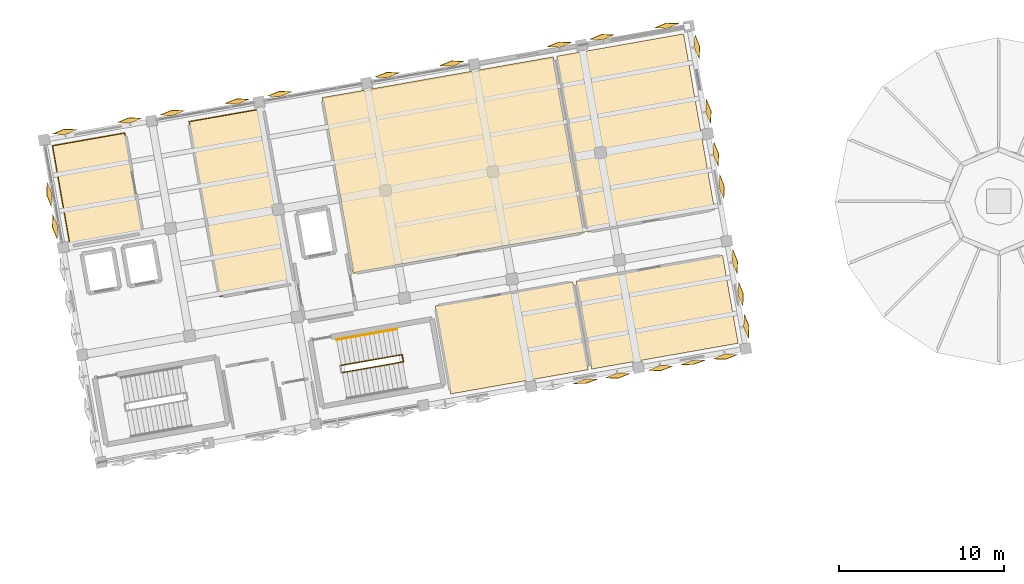
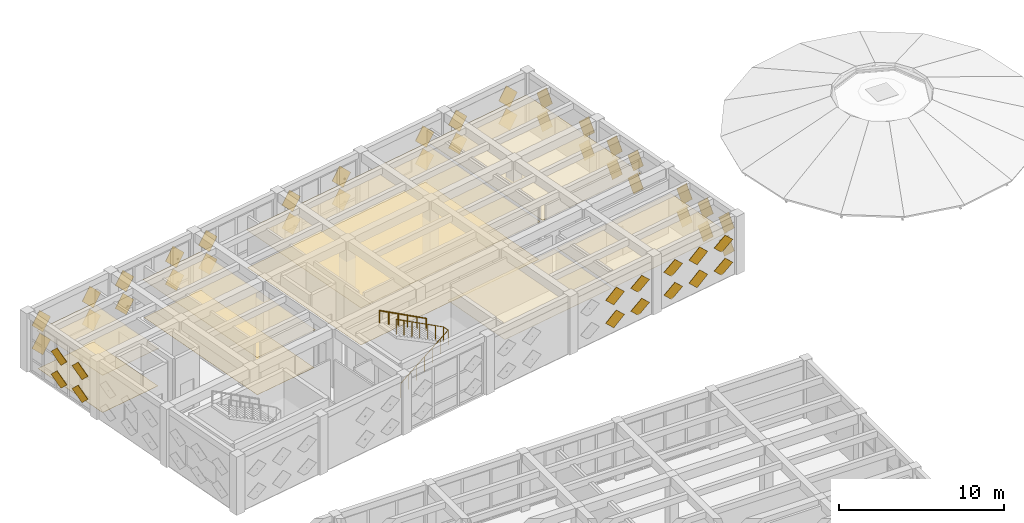
# One storey, part 65 of 67: 57 coverings, 2 railings.
"""IFC4 building model written with IfcOpenShell, lengths in metres."""

from ifc_helpers import new_model, si_unit, direction, frame, origin, origin_2d, place, context, subcontext, project, spatial, polyline, circle, outline, extrude, material, layer, layer_set, type_object, element, save


model = new_model("IFC4")

# Units and contexts
model_context = context("Model", 3, precision=1e-05, world=origin(), true_north=direction((0.0, 1.0)))
body_context = subcontext(model_context, "Body", "Model", "MODEL_VIEW")
ifc_project = project(units=[si_unit("LENGTHUNIT", "METRE"), si_unit("AREAUNIT", "SQUARE_METRE"), si_unit("VOLUMEUNIT", "CUBIC_METRE"), si_unit("PLANEANGLEUNIT", "RADIAN"), si_unit("MASSUNIT", "GRAM", prefix="KILO")], contexts=[model_context])

# Site, building, storey
site_placement = place(None, origin())
site = spatial("IfcSite", under=ifc_project, at=site_placement, CompositionType="ELEMENT")
building_placement = place(site_placement, origin())
building = spatial("IfcBuilding", under=site, at=building_placement, Name="Kharisveld Research Institute", CompositionType="ELEMENT")
storey_placement = place(building_placement, frame((0.0, 0.0, 9.60009765625)))
storey = spatial("IfcBuildingStorey", under=building, at=storey_placement, Name="L02", CompositionType="ELEMENT", Elevation=9.60009765625)

# Coverings
ifc_material_1 = material(Name="Mineral-Fibre Acoustic Ceiling", Category="mineral")
ifc_layer_1 = layer(ifc_material_1, 0.02490234375)
ifc_layer_set_1 = layer_set([ifc_layer_1], Name="CV_CEIL_AC")
covering_type_1 = type_object("IfcCoveringType", Name="CV_CEIL_AC", PredefinedType="CEILING", material=ifc_layer_set_1)
covering_1_placement = place(storey_placement, frame((0.0, 0.0, 2.7998046875)))
element("IfcCovering", 1, at=covering_1_placement, inside=storey, type_object=covering_type_1, Name="COV:RM:V1:L02:NW:CEIL", PredefinedType="CEILING", context=body_context, shape_type="SweptSolid", body=[
    extrude(outline(polyline([(3.3017578125, 48.078857421875), (7.7333984375, 48.8603515625), (6.65673828125, 54.966064453125), (2.22509765625, 54.184814453125), (3.3017578125, 48.078857421875)])), origin(), (0.0, 0.0, 1.0), 0.025146484375),
])
covering_2_placement = place(storey_placement, frame((0.0, 0.0, 2.7998046875)))
element("IfcCovering", 2, at=covering_2_placement, inside=storey, type_object=covering_type_1, Name="COV:RM:V1:L02:N1:CEIL", PredefinedType="CEILING", context=body_context, shape_type="SweptSolid", body=[
    extrude(outline(polyline([(12.373046875, 45.007568359375), (16.903076171875, 45.80615234375), (15.027587890625, 56.442138671875), (10.49755859375, 55.643310546875), (12.373046875, 45.007568359375)])), origin(), (0.0, 0.0, 1.0), 0.025146484375),
])
covering_3_placement = place(storey_placement, frame((0.0, 0.0, 2.7998046875)))
element("IfcCovering", 3, at=covering_3_placement, inside=storey, type_object=covering_type_1, Name="COV:RM:V1:L02:N2:CEIL", PredefinedType="CEILING", context=body_context, shape_type="SweptSolid", body=[
    extrude(outline(polyline([(20.4482421875, 46.431396484375), (34.4326171875, 48.897216796875), (32.55712890625, 59.533203125), (18.572998046875, 57.0673828125), (20.4482421875, 46.431396484375)])), origin(), (0.0, 0.0, 1.0), 0.025146484375),
])
covering_4_placement = place(storey_placement, frame((0.0, 0.0, 2.7998046875)))
element("IfcCovering", 4, at=covering_4_placement, inside=storey, type_object=covering_type_1, Name="COV:RM:V1:L02:N3:CEIL", PredefinedType="CEILING", context=body_context, shape_type="SweptSolid", body=[
    extrude(outline(polyline([(34.629638671875, 48.931884765625), (42.31103515625, 50.286376953125), (40.435791015625, 60.92236328125), (32.754150390625, 59.56787109375), (34.629638671875, 48.931884765625)])), origin(), (0.0, 0.0, 1.0), 0.025146484375),
])
covering_5_placement = place(storey_placement, frame((0.0, 0.0, 2.7998046875)))
element("IfcCovering", 5, at=covering_5_placement, inside=storey, type_object=covering_type_1, Name="COV:RM:V1:L02:S1:CEIL", PredefinedType="CEILING", context=body_context, shape_type="SweptSolid", body=[
    extrude(outline(polyline([(26.35302734375, 39.14599609375), (34.6748046875, 40.61328125), (33.737060546875, 45.931396484375), (25.41552734375, 44.464111328125), (26.35302734375, 39.14599609375)])), origin(), (0.0, 0.0, 1.0), 0.025146484375),
])
covering_6_placement = place(storey_placement, frame((0.0, 0.0, 2.7998046875)))
element("IfcCovering", 6, at=covering_6_placement, inside=storey, type_object=covering_type_1, Name="COV:RM:V1:L02:S2:CEIL", PredefinedType="CEILING", context=body_context, shape_type="SweptSolid", body=[
    extrude(outline(polyline([(34.871826171875, 40.648193359375), (43.735107421875, 42.2109375), (42.79736328125, 47.52880859375), (33.93408203125, 45.966064453125), (34.871826171875, 40.648193359375)])), origin(), (0.0, 0.0, 1.0), 0.025146484375),
])
ifc_material_2 = material(Name="Seamless Chemical-Resistant Epoxy", Category="mineral")
ifc_layer_2 = layer(ifc_material_2, 0.014892578125)
ifc_layer_set_2 = layer_set([ifc_layer_2], Name="CV_FLR_EPX")
covering_type_2 = type_object("IfcCoveringType", Name="CV_FLR_EPX", PredefinedType="FLOORING", material=ifc_layer_set_2)
covering_7_placement = place(storey_placement, origin())
element("IfcCovering", 7, at=covering_7_placement, inside=storey, type_object=covering_type_2, Name="COV:RM:V1:L02:NW:FLR", PredefinedType="FLOORING", context=body_context, shape_type="SweptSolid", body=[
    extrude(outline(polyline([(3.34228515625, 48.136962890625), (7.675537109375, 48.90087890625), (6.6162109375, 54.908203125), (2.282958984375, 54.144287109375), (3.34228515625, 48.136962890625)])), origin(), (0.0, 0.0, 1.0), 0.014892578125),
])
covering_8_placement = place(storey_placement, origin())
element("IfcCovering", 8, at=covering_8_placement, inside=storey, type_object=covering_type_2, Name="COV:RM:V1:L02:N1:FLR", PredefinedType="FLOORING", context=body_context, shape_type="SweptSolid", body=[
    extrude(outline(polyline([(12.41357421875, 45.0654296875), (16.84521484375, 45.8466796875), (14.987060546875, 56.38427734375), (10.555419921875, 55.602783203125), (12.41357421875, 45.0654296875)])), origin(), (0.0, 0.0, 1.0), 0.014892578125),
])
covering_9_placement = place(storey_placement, origin())
element("IfcCovering", 9, at=covering_9_placement, inside=storey, type_object=covering_type_2, Name="COV:RM:V1:L02:N2:FLR", PredefinedType="FLOORING", context=body_context, shape_type="SweptSolid", body=[
    extrude(outline(polyline([(20.489013671875, 46.4892578125), (34.374755859375, 48.937744140625), (32.5166015625, 59.47509765625), (18.630859375, 57.026611328125), (20.489013671875, 46.4892578125)])), origin(), (0.0, 0.0, 1.0), 0.014892578125),
])

# Railings
ifc_material_3 = material(Name="Steel S355JR", Category="steel")
railing_type_1 = type_object("IfcRailingType", Name="RL_GRD_STR", PredefinedType="GUARDRAIL", material=ifc_material_3)
railing_1_placement = place(storey_placement, frame((19.79931640625, 40.4375, 0.0)))
element("IfcRailing", 10, at=railing_1_placement, inside=storey, type_object=railing_type_1, Name="RLG:ST2:L02:GRD_SLOT", PredefinedType="GUARDRAIL", context=body_context, shape_type="SweptSolid", body=[
    extrude(circle(Radius=0.02392578125, at=origin_2d()), frame((0.0, 0.0, 1.09619140625), z_axis=(0.844157266411, 0.148870313632, 0.515010814726), x_axis=(-0.173673761132, 0.984803241614, 0.0)), (0.0, 0.0, 1.0), 4.368896484375),
    extrude(circle(Radius=0.02392578125, at=origin_2d()), frame((3.68798828125, 0.650390625, 3.34619140625), z_axis=(-0.173658729201, 0.984805892434, 0.0), x_axis=(-0.984805892434, -0.173658729201, 0.0)), (0.0, 0.0, 1.0), 0.43994140625),
    extrude(circle(Radius=0.02392578125, at=origin_2d()), frame((3.611572265625, 1.083740234375, 3.34619140625), z_axis=(-0.844157266411, -0.148870313632, 0.515010814726), x_axis=(0.173673761132, -0.984803241614, 0.0)), (0.0, 0.0, 1.0), 4.368896484375),
    extrude(circle(Radius=0.02099609375, at=origin_2d()), origin(), (0.0, 0.0, 1.0), 1.072021484375),
    extrude(circle(Radius=0.02099609375, at=origin_2d()), frame((0.61474609375, 0.1083984375, 0.375)), (0.0, 0.0, 1.0), 1.072021484375),
    extrude(circle(Radius=0.02099609375, at=origin_2d()), frame((1.229248046875, 0.216796875, 0.75)), (0.0, 0.0, 1.0), 1.072021484375),
    extrude(circle(Radius=0.02099609375, at=origin_2d()), frame((1.843994140625, 0.3251953125, 1.125)), (0.0, 0.0, 1.0), 1.072021484375),
    extrude(circle(Radius=0.02099609375, at=origin_2d()), frame((2.458740234375, 0.43359375, 1.5)), (0.0, 0.0, 1.0), 1.072021484375),
    extrude(circle(Radius=0.02099609375, at=origin_2d()), frame((3.0732421875, 0.5419921875, 1.875)), (0.0, 0.0, 1.0), 1.072021484375),
    extrude(circle(Radius=0.02099609375, at=origin_2d()), frame((3.68798828125, 0.650390625, 2.25)), (0.0, 0.0, 1.0), 1.072021484375),
    extrude(circle(Radius=0.02099609375, at=origin_2d()), frame((3.611572265625, 1.083740234375, 2.25)), (0.0, 0.0, 1.0), 1.072021484375),
    extrude(circle(Radius=0.02099609375, at=origin_2d()), frame((2.996826171875, 0.975341796875, 2.625)), (0.0, 0.0, 1.0), 1.072021484375),
    extrude(circle(Radius=0.02099609375, at=origin_2d()), frame((2.38232421875, 0.866943359375, 3.0)), (0.0, 0.0, 1.0), 1.072021484375),
    extrude(circle(Radius=0.02099609375, at=origin_2d()), frame((1.767578125, 0.758544921875, 3.375)), (0.0, 0.0, 1.0), 1.072021484375),
    extrude(circle(Radius=0.02099609375, at=origin_2d()), frame((1.15283203125, 0.650146484375, 3.75)), (0.0, 0.0, 1.0), 1.072021484375),
    extrude(circle(Radius=0.02099609375, at=origin_2d()), frame((0.538330078125, 0.541748046875, 4.125)), (0.0, 0.0, 1.0), 1.072021484375),
    extrude(circle(Radius=0.02099609375, at=origin_2d()), frame((-0.076416015625, 0.433349609375, 4.5)), (0.0, 0.0, 1.0), 1.072021484375),
])
ifc_material_4 = material(Name="Stainless Steel 316", Category="steel")
railing_type_2 = type_object("IfcRailingType", Name="RL_HND_STR", PredefinedType="HANDRAIL", material=ifc_material_4)
railing_2_placement = place(storey_placement, frame((23.09716796875, 43.0703125, 2.25)))
element("IfcRailing", 11, at=railing_2_placement, inside=storey, type_object=railing_type_2, Name="RLG:ST2:L02:HR2", PredefinedType="HANDRAIL", context=body_context, shape_type="SweptSolid", body=[
    extrude(circle(Radius=0.02392578125, at=origin_2d()), frame((0.0, 0.0, 0.89599609375), z_axis=(-0.841746897377, -0.148411045473, 0.519072559801), x_axis=(0.173634966033, -0.984810082488, 0.0)), (0.0, 0.0, 1.0), 4.334716796875),
    extrude(circle(Radius=0.02099609375, at=origin_2d()), origin(), (0.0, 0.0, 1.0), 0.871826171875),
    extrude(circle(Radius=0.02099609375, at=origin_2d()), frame((-0.729736328125, -0.128662109375, 0.449951171875)), (0.0, 0.0, 1.0), 0.871826171875),
    extrude(circle(Radius=0.02099609375, at=origin_2d()), frame((-1.45947265625, -0.25732421875, 0.89990234375)), (0.0, 0.0, 1.0), 0.871826171875),
    extrude(circle(Radius=0.02099609375, at=origin_2d()), frame((-2.189208984375, -0.385986328125, 1.35009765625)), (0.0, 0.0, 1.0), 0.871826171875),
    extrude(circle(Radius=0.02099609375, at=origin_2d()), frame((-2.9189453125, -0.5146484375, 1.800048828125)), (0.0, 0.0, 1.0), 0.871826171875),
    extrude(circle(Radius=0.02099609375, at=origin_2d()), frame((-3.648681640625, -0.643310546875, 2.25)), (0.0, 0.0, 1.0), 0.871826171875),
])

# Coverings
ifc_material_5 = material(Name="White Powder-Coated Perforated Aluminium", Category="aluminium")
covering_type_3 = type_object("IfcCoveringType", Name="CV_DIA_105", PredefinedType="CLADDING")
for number, where, z_axis, x_axis, name in (
    (12, (2.58203125, 49.28564453125, 0.324951171875), (0.961442649282, 0.16952470156, 0.216539621552), (-0.273578570302, 0.66970617229, 0.690397283213), "SHD:V1:L02:W2:S0C0"),
    (13, (2.58203125, 49.28564453125, 2.025146484375), (0.961442649282, 0.16952470156, 0.216539621552), (-0.273578570302, 0.66970617229, 0.690397283213), "SHD:V1:L02:W2:S0C1"),
):
    element("IfcCovering", number, at=place(storey_placement, frame(where, z_axis=z_axis, x_axis=x_axis)), inside=storey, type_object=covering_type_3, material=ifc_material_5, Name=name, PredefinedType="CLADDING", context=body_context, shape_type="SweptSolid", body=[
        extrude(outline(polyline([(0.0, 0.0), (1.0498710226392558, 0.0), (1.0500604882684064, 1.0499603061510638), (0.00012267398601040203, 1.0499534754558235), (0.0, 0.0)])), origin(), (0.0, 0.0, -1.0), 0.02392578125),
    ])
for number, where, z_axis, x_axis, name in (
    (14, (2.237060546875, 51.2421875, 0.324951171875), (0.961420032054, 0.169652917176, 0.216539626071), (-0.273667258538, 0.669685861016, 0.690381835769), "SHD:V1:L02:W2:S1C0"),
    (15, (2.237060546875, 51.2421875, 2.025146484375), (0.961420032054, 0.169652917176, 0.216539626071), (-0.273667258538, 0.669685861016, 0.690381835769), "SHD:V1:L02:W2:S1C1"),
):
    element("IfcCovering", number, at=place(storey_placement, frame(where, z_axis=z_axis, x_axis=x_axis)), inside=storey, type_object=covering_type_3, material=ifc_material_5, Name=name, PredefinedType="CLADDING", context=body_context, shape_type="SweptSolid", body=[
        extrude(outline(polyline([(0.0, 0.0), (1.0499378206599106, 0.0), (1.0500673127316735, 1.0499534809922781), (-3.40054528989997e-05, 1.0501299963078314), (0.0, 0.0)])), origin(), (0.0, 0.0, -1.0), 0.02392578125),
    ])
for number, where, z_axis, x_axis, name in (
    (16, (3.037841796875, 54.8349609375, 0.324951171875), (0.169653966706, -0.961425979727, 0.216512394765), (0.669810730042, 0.27364360613, 0.69027006508), "SHD:V1:L02:N0:S0C0"),
    (17, (3.037841796875, 54.8349609375, 2.025146484375), (0.169653966706, -0.961425979727, 0.216512394765), (0.669810730042, 0.27364360613, 0.69027006508), "SHD:V1:L02:N0:S0C1"),
):
    element("IfcCovering", number, at=place(storey_placement, frame(where, z_axis=z_axis, x_axis=x_axis)), inside=storey, type_object=covering_type_3, material=ifc_material_5, Name=name, PredefinedType="CLADDING", context=body_context, shape_type="SweptSolid", body=[
        extrude(outline(polyline([(0.0, 0.0), (1.0501013332243323, 1.1102230246251565e-16), (1.050054335240126, 1.049953488129867), (-4.699798420648715e-05, 1.049953488129867), (0.0, 0.0)])), origin(), (0.0, 0.0, -1.0), 0.02392578125),
    ])
for number, where, z_axis, x_axis, name in (
    (18, (6.950927734375, 55.52490234375, 0.324951171875), (0.16952470156, -0.961442649282, 0.216539621552), (0.669701468459, 0.273578752319, 0.690401773914), "SHD:V1:L02:N0:S2C0"),
    (19, (6.950927734375, 55.52490234375, 2.025146484375), (0.16952470156, -0.961442649282, 0.216539621552), (0.669701468459, 0.273578752319, 0.690401773914), "SHD:V1:L02:N0:S2C1"),
):
    element("IfcCovering", number, at=place(storey_placement, frame(where, z_axis=z_axis, x_axis=x_axis)), inside=storey, type_object=covering_type_3, material=ifc_material_5, Name=name, PredefinedType="CLADDING", context=body_context, shape_type="SweptSolid", body=[
        extrude(outline(polyline([(0.0, 0.0), (1.0499378143046156, 0.0), (1.0500673190877523, 1.04995347463551), (0.0001962964707143966, 1.0499603048962165), (0.0, 0.0)])), origin(), (0.0, 0.0, -1.0), 0.02392578125),
    ])
for number, where, z_axis, x_axis, name in (
    (20, (9.53759765625, 55.981201171875, 0.324951171875), (0.169504241221, -0.961487125864, 0.216358080518), (0.669853329409, 0.27342850239, 0.690313965642), "SHD:V1:L02:N1:S0C0"),
    (21, (9.53759765625, 55.981201171875, 2.025146484375), (0.169504241221, -0.961487125864, 0.216358080518), (0.669853329409, 0.27342850239, 0.690313965642), "SHD:V1:L02:N1:S0C1"),
):
    element("IfcCovering", number, at=place(storey_placement, frame(where, z_axis=z_axis, x_axis=x_axis)), inside=storey, type_object=covering_type_3, material=ifc_material_5, Name=name, PredefinedType="CLADDING", context=body_context, shape_type="SweptSolid", body=[
        extrude(outline(polyline([(0.0, 0.0), (1.0500345519602505, 0.0), (1.0499807392517624, 1.0499534878027108), (-5.381270848814346e-05, 1.049953487802711), (0.0, 0.0)])), origin(), (0.0, 0.0, -1.0), 0.02392578125),
    ])
for number, where, z_axis, x_axis, name in (
    (22, (13.45068359375, 56.671142578125, 0.324951171875), (0.169503194288, -0.961481187298, 0.216385289699), (0.669728459805, 0.273452141042, 0.690425750307), "SHD:V1:L02:N1:S2C0"),
    (23, (13.45068359375, 56.671142578125, 2.025146484375), (0.169503194288, -0.961481187298, 0.216385289699), (0.669728459805, 0.273452141042, 0.690425750307), "SHD:V1:L02:N1:S2C1"),
):
    element("IfcCovering", number, at=place(storey_placement, frame(where, z_axis=z_axis, x_axis=x_axis)), inside=storey, type_object=covering_type_3, material=ifc_material_5, Name=name, PredefinedType="CLADDING", context=body_context, shape_type="SweptSolid", body=[
        extrude(outline(polyline([(0.0, 0.0), (1.0498710289953155, -1.1102230246251565e-16), (1.0499937165082887, 1.0499534818098035), (-4.082041178410378e-05, 1.0501299960653954), (0.0, 0.0)])), origin(), (0.0, 0.0, -1.0), 0.02392578125),
    ])
for number, where, z_axis, x_axis, name in (
    (24, (16.037353515625, 57.127197265625, 0.324951171875), (0.169503194288, -0.961481187298, 0.216385289699), (0.669849989418, 0.273447448775, 0.690309701826), "SHD:V1:L02:N2:S0C0"),
    (25, (16.037353515625, 57.127197265625, 2.025146484375), (0.169503194288, -0.961481187298, 0.216385289699), (0.669849989418, 0.273447448775, 0.690309701826), "SHD:V1:L02:N2:S0C1"),
):
    element("IfcCovering", number, at=place(storey_placement, frame(where, z_axis=z_axis, x_axis=x_axis)), inside=storey, type_object=covering_type_3, material=ifc_material_5, Name=name, PredefinedType="CLADDING", context=body_context, shape_type="SweptSolid", body=[
        extrude(outline(polyline([(0.0, 0.0), (1.0500345517563856, -1.1102230246251565e-16), (1.0498172010450848, 1.0501299743656882), (-5.381311622809637e-05, 1.0499534875988095), (0.0, 0.0)])), origin(), (0.0, 0.0, -1.0), 0.02392578125),
    ])
for number, where, z_axis, x_axis, name in (
    (26, (22.537109375, 58.273193359375, 0.324951171875), (0.169652917176, -0.961420032054, 0.216539626071), (0.66980738436, 0.273662566838, 0.690265794725), "SHD:V1:L02:N3:S0C0"),
    (27, (22.537109375, 58.273193359375, 2.025146484375), (0.169652917176, -0.961420032054, 0.216539626071), (0.66980738436, 0.273662566838, 0.690265794725), "SHD:V1:L02:N3:S0C1"),
):
    element("IfcCovering", number, at=place(storey_placement, frame(where, z_axis=z_axis, x_axis=x_axis)), inside=storey, type_object=covering_type_3, material=ifc_material_5, Name=name, PredefinedType="CLADDING", context=body_context, shape_type="SweptSolid", body=[
        extrude(outline(polyline([(0.0, 0.0), (1.0501013330201203, 0.0), (1.049890807434033, 1.0501299757557796), (-4.699839263988537e-05, 1.0499534879256078), (0.0, 0.0)])), origin(), (0.0, 0.0, -1.0), 0.02392578125),
    ])
for number, where, z_axis, x_axis, name in (
    (28, (26.449951171875, 58.963134765625, 0.324951171875), (0.169498301082, -0.961453431325, 0.216512413788), (0.669829678259, 0.273536150679, 0.690294267972), "SHD:V1:L02:N3:S2C0"),
    (29, (26.449951171875, 58.963134765625, 2.025146484375), (0.169498301082, -0.961453431325, 0.216512413788), (0.669829678259, 0.273536150679, 0.690294267972), "SHD:V1:L02:N3:S2C1"),
):
    element("IfcCovering", number, at=place(storey_placement, frame(where, z_axis=z_axis, x_axis=x_axis)), inside=storey, type_object=covering_type_3, material=ifc_material_5, Name=name, PredefinedType="CLADDING", context=body_context, shape_type="SweptSolid", body=[
        extrude(outline(polyline([(0.0, 0.0), (1.050101326665668, -1.1102230246251565e-16), (1.050054341798497, 1.049953481570866), (1.9796419616024963e-05, 1.0499603230588543), (0.0, 0.0)])), origin(), (0.0, 0.0, -1.0), 0.02392578125),
    ])
for number, where, z_axis, x_axis, name in (
    (30, (32.94970703125, 60.109375, 0.324951171875), (0.169504241221, -0.961487125864, 0.216358080518), (0.669853329409, 0.27342850239, 0.690313965642), "SHD:V1:L02:N4:S2C0"),
    (31, (32.94970703125, 60.109375, 2.025146484375), (0.169504241221, -0.961487125864, 0.216358080518), (0.669853329409, 0.27342850239, 0.690313965642), "SHD:V1:L02:N4:S2C1"),
):
    element("IfcCovering", number, at=place(storey_placement, frame(where, z_axis=z_axis, x_axis=x_axis)), inside=storey, type_object=covering_type_3, material=ifc_material_5, Name=name, PredefinedType="CLADDING", context=body_context, shape_type="SweptSolid", body=[
        extrude(outline(polyline([(0.0, 0.0), (1.0500345519602505, 0.0), (1.0499807392517624, 1.0499534878027108), (-5.381270848814346e-05, 1.049953487802711), (0.0, 0.0)])), origin(), (0.0, 0.0, -1.0), 0.02392578125),
    ])
for number, where, z_axis, x_axis, name in (
    (32, (35.53662109375, 60.5654296875, 0.324951171875), (0.169530643305, -0.961476347302, 0.21638529192), (0.669725119033, 0.273471090272, 0.690421485559), "SHD:V1:L02:N5:S0C0"),
    (33, (35.53662109375, 60.5654296875, 2.025146484375), (0.169530643305, -0.961476347302, 0.21638529192), (0.669725119033, 0.273471090272, 0.690421485559), "SHD:V1:L02:N5:S0C1"),
):
    element("IfcCovering", number, at=place(storey_placement, frame(where, z_axis=z_axis, x_axis=x_axis)), inside=storey, type_object=covering_type_3, material=ifc_material_5, Name=name, PredefinedType="CLADDING", context=body_context, shape_type="SweptSolid", body=[
        extrude(outline(polyline([(0.0, 0.0), (1.0498710291992122, 0.0), (1.0499937163043682, 1.0499534820137317), (0.00012268710515594972, 1.049953482013732), (0.0, 0.0)])), origin(), (0.0, 0.0, -1.0), 0.02392578125),
    ])
for number, where, z_axis, x_axis, name in (
    (34, (39.449462890625, 61.25537109375, 0.324951171875), (0.169498301082, -0.961453431325, 0.216512413788), (0.669834388355, 0.273535968092, 0.690289769834), "SHD:V1:L02:N5:S2C0"),
    (35, (39.449462890625, 61.25537109375, 2.025146484375), (0.169498301082, -0.961453431325, 0.216512413788), (0.669834388355, 0.273535968092, 0.690289769834), "SHD:V1:L02:N5:S2C1"),
):
    element("IfcCovering", number, at=place(storey_placement, frame(where, z_axis=z_axis, x_axis=x_axis)), inside=storey, type_object=covering_type_3, material=ifc_material_5, Name=name, PredefinedType="CLADDING", context=body_context, shape_type="SweptSolid", body=[
        extrude(outline(polyline([(0.0, 0.0), (1.0500345454011688, 0.0), (1.0500475008163912, 1.049960323165551), (-5.3825826987430325e-05, 1.0499534812424507), (0.0, 0.0)])), origin(), (0.0, 0.0, -1.0), 0.02392578125),
    ])
for number, where, z_axis, x_axis, name in (
    (36, (41.0859375, 60.109619140625, 0.324951171875), (-0.961425979727, -0.169653966706, 0.216512394765), (0.27364360613, -0.669810730042, 0.69027006508), "SHD:V1:L02:E3:S0C0"),
    (37, (41.0859375, 60.109619140625, 2.025146484375), (-0.961425979727, -0.169653966706, 0.216512394765), (0.27364360613, -0.669810730042, 0.69027006508), "SHD:V1:L02:E3:S0C1"),
):
    element("IfcCovering", number, at=place(storey_placement, frame(where, z_axis=z_axis, x_axis=x_axis)), inside=storey, type_object=covering_type_3, material=ifc_material_5, Name=name, PredefinedType="CLADDING", context=body_context, shape_type="SweptSolid", body=[
        extrude(outline(polyline([(0.0, 0.0), (1.0501013332243323, 1.1102230246251565e-16), (1.050054335240126, 1.049953488129867), (-4.699798420648715e-05, 1.049953488129867), (0.0, 0.0)])), origin(), (0.0, 0.0, -1.0), 0.02392578125),
    ])
for number, where, z_axis, x_axis, name in (
    (38, (41.77587890625, 56.196533203125, 0.324951171875), (-0.961420032054, -0.169652917176, 0.216539626071), (0.273662566838, -0.66980738436, 0.690265794725), "SHD:V1:L02:E3:S2C0"),
    (39, (41.77587890625, 56.196533203125, 2.025146484375), (-0.961420032054, -0.169652917176, 0.216539626071), (0.273662566838, -0.66980738436, 0.690265794725), "SHD:V1:L02:E3:S2C1"),
):
    element("IfcCovering", number, at=place(storey_placement, frame(where, z_axis=z_axis, x_axis=x_axis)), inside=storey, type_object=covering_type_3, material=ifc_material_5, Name=name, PredefinedType="CLADDING", context=body_context, shape_type="SweptSolid", body=[
        extrude(outline(polyline([(0.0, 0.0), (1.0501013330201203, 0.0), (1.049890807434033, 1.0501299757557796), (-4.699839263988537e-05, 1.0499534879256078), (0.0, 0.0)])), origin(), (0.0, 0.0, -1.0), 0.02392578125),
    ])
for number, where, z_axis, x_axis, name in (
    (40, (42.232177734375, 53.60986328125, 0.324951171875), (-0.961487125864, -0.169504241221, 0.216358080518), (0.27342850239, -0.669853329409, 0.690313965642), "SHD:V1:L02:E2:S0C0"),
    (41, (42.232177734375, 53.60986328125, 2.025146484375), (-0.961487125864, -0.169504241221, 0.216358080518), (0.27342850239, -0.669853329409, 0.690313965642), "SHD:V1:L02:E2:S0C1"),
):
    element("IfcCovering", number, at=place(storey_placement, frame(where, z_axis=z_axis, x_axis=x_axis)), inside=storey, type_object=covering_type_3, material=ifc_material_5, Name=name, PredefinedType="CLADDING", context=body_context, shape_type="SweptSolid", body=[
        extrude(outline(polyline([(0.0, 0.0), (1.0500345519602505, 0.0), (1.0499807392517624, 1.0499534878027108), (-5.381270848814346e-05, 1.049953487802711), (0.0, 0.0)])), origin(), (0.0, 0.0, -1.0), 0.02392578125),
    ])
for number, where, z_axis, x_axis, name in (
    (42, (42.5771484375, 51.6533203125, 0.324951171875), (-0.961481187298, -0.169503194288, 0.216385289699), (0.273447448775, -0.669849989418, 0.690309701826), "SHD:V1:L02:E2:S1C0"),
    (43, (42.5771484375, 51.6533203125, 2.025146484375), (-0.961481187298, -0.169503194288, 0.216385289699), (0.273447448775, -0.669849989418, 0.690309701826), "SHD:V1:L02:E2:S1C1"),
):
    element("IfcCovering", number, at=place(storey_placement, frame(where, z_axis=z_axis, x_axis=x_axis)), inside=storey, type_object=covering_type_3, material=ifc_material_5, Name=name, PredefinedType="CLADDING", context=body_context, shape_type="SweptSolid", body=[
        extrude(outline(polyline([(0.0, 0.0), (1.0500345517563856, -1.1102230246251565e-16), (1.0498172010450848, 1.0501299743656882), (-5.381311622809637e-05, 1.0499534875988095), (0.0, 0.0)])), origin(), (0.0, 0.0, -1.0), 0.02392578125),
    ])
for number, where, z_axis, x_axis, name in (
    (44, (43.378173828125, 47.110107421875, 0.324951171875), (-0.961487125864, -0.169504241221, 0.216358080518), (0.27342850239, -0.669853329409, 0.690313965642), "SHD:V1:L02:E1:S0C0"),
    (45, (43.378173828125, 47.110107421875, 2.025146484375), (-0.961487125864, -0.169504241221, 0.216358080518), (0.27342850239, -0.669853329409, 0.690313965642), "SHD:V1:L02:E1:S0C1"),
):
    element("IfcCovering", number, at=place(storey_placement, frame(where, z_axis=z_axis, x_axis=x_axis)), inside=storey, type_object=covering_type_3, material=ifc_material_5, Name=name, PredefinedType="CLADDING", context=body_context, shape_type="SweptSolid", body=[
        extrude(outline(polyline([(0.0, 0.0), (1.0500345519602505, 0.0), (1.0499807392517624, 1.0499534878027108), (-5.381270848814346e-05, 1.049953487802711), (0.0, 0.0)])), origin(), (0.0, 0.0, -1.0), 0.02392578125),
    ])
for number, where, z_axis, x_axis, name in (
    (46, (43.72314453125, 45.153564453125, 0.324951171875), (-0.961481187298, -0.169503194288, 0.216385289699), (0.273447448775, -0.669849989418, 0.690309701826), "SHD:V1:L02:E1:S1C0"),
    (47, (43.72314453125, 45.153564453125, 2.025146484375), (-0.961481187298, -0.169503194288, 0.216385289699), (0.273447448775, -0.669849989418, 0.690309701826), "SHD:V1:L02:E1:S1C1"),
):
    element("IfcCovering", number, at=place(storey_placement, frame(where, z_axis=z_axis, x_axis=x_axis)), inside=storey, type_object=covering_type_3, material=ifc_material_5, Name=name, PredefinedType="CLADDING", context=body_context, shape_type="SweptSolid", body=[
        extrude(outline(polyline([(0.0, 0.0), (1.0500345517563856, -1.1102230246251565e-16), (1.0498172010450848, 1.0501299743656882), (-5.381311622809637e-05, 1.0499534875988095), (0.0, 0.0)])), origin(), (0.0, 0.0, -1.0), 0.02392578125),
    ])
for number, where, z_axis, x_axis, name in (
    (48, (44.068115234375, 43.197021484375, 0.324951171875), (-0.961481187298, -0.169503194288, 0.216385289699), (0.273452141042, -0.669728459805, 0.690425750307), "SHD:V1:L02:E1:S2C0"),
    (49, (44.068115234375, 43.197021484375, 2.025146484375), (-0.961481187298, -0.169503194288, 0.216385289699), (0.273452141042, -0.669728459805, 0.690425750307), "SHD:V1:L02:E1:S2C1"),
):
    element("IfcCovering", number, at=place(storey_placement, frame(where, z_axis=z_axis, x_axis=x_axis)), inside=storey, type_object=covering_type_3, material=ifc_material_5, Name=name, PredefinedType="CLADDING", context=body_context, shape_type="SweptSolid", body=[
        extrude(outline(polyline([(0.0, 0.0), (1.0498710289953155, -1.1102230246251565e-16), (1.0499937165082887, 1.0499534818098035), (-4.082041178410378e-05, 1.0501299960653954), (0.0, 0.0)])), origin(), (0.0, 0.0, -1.0), 0.02392578125),
    ])
for number, where, z_axis, x_axis, name in (
    (50, (42.92236328125, 41.560546875, 0.324951171875), (-0.169504241221, 0.961487125864, 0.216358080518), (-0.669853329409, -0.27342850239, 0.690313965642), "SHD:V1:L02:S6:S0C0"),
    (51, (42.92236328125, 41.560546875, 2.025146484375), (-0.169504241221, 0.961487125864, 0.216358080518), (-0.669853329409, -0.27342850239, 0.690313965642), "SHD:V1:L02:S6:S0C1"),
):
    element("IfcCovering", number, at=place(storey_placement, frame(where, z_axis=z_axis, x_axis=x_axis)), inside=storey, type_object=covering_type_3, material=ifc_material_5, Name=name, PredefinedType="CLADDING", context=body_context, shape_type="SweptSolid", body=[
        extrude(outline(polyline([(0.0, 0.0), (1.0500345519602505, 0.0), (1.0499807392517624, 1.0499534878027108), (-5.381270848814346e-05, 1.049953487802711), (0.0, 0.0)])), origin(), (0.0, 0.0, -1.0), 0.02392578125),
    ])
covering_10_placement = place(storey_placement, frame((40.972412109375, 41.177978515625, 0.317626953125), z_axis=(-0.171238636855, 0.971325222312, 0.164938296792), x_axis=(-0.676191865964, -0.23762399085, 0.697351704219)))
element("IfcCovering", 52, at=covering_10_placement, inside=storey, type_object=covering_type_3, material=ifc_material_5, Name="SHD:V1:L02:S6:S1C0", PredefinedType="CLADDING", context=body_context, shape_type="SweptSolid", body=[
    extrude(outline(polyline([(0.0, 0.0), (1.0499451723202433, -1.1102230246251565e-16), (1.0499335917706356, 1.0500851276195962), (-0.00018183243052050102, 1.0499148413347306), (0.0, 0.0)])), origin(), (0.0, 0.0, -1.0), 0.02392578125),
])
covering_11_placement = place(storey_placement, frame((40.972412109375, 41.177978515625, 2.017578125), z_axis=(-0.171238636855, 0.971325222312, 0.164938296792), x_axis=(-0.676075661849, -0.237622709321, 0.697464800165)))
element("IfcCovering", 53, at=covering_11_placement, inside=storey, type_object=covering_type_3, material=ifc_material_5, Name="SHD:V1:L02:S6:S1C1", PredefinedType="CLADDING", context=body_context, shape_type="SweptSolid", body=[
    extrude(outline(polyline([(0.0, 0.0), (1.050115438007933, 0.0), (1.0501038593359955, 1.049914857016463), (0.00015870082029023624, 1.050085115691115), (0.0, 0.0)])), origin(), (0.0, 0.0, -1.0), 0.02392578125),
])
for number, where, z_axis, x_axis, name in (
    (54, (39.00927734375, 40.87060546875, 0.324951171875), (-0.169503194288, 0.961481187298, 0.216385289699), (-0.669849989418, -0.273447448775, 0.690309701826), "SHD:V1:L02:S6:S2C0"),
    (55, (39.00927734375, 40.87060546875, 2.025146484375), (-0.169503194288, 0.961481187298, 0.216385289699), (-0.669849989418, -0.273447448775, 0.690309701826), "SHD:V1:L02:S6:S2C1"),
):
    element("IfcCovering", number, at=place(storey_placement, frame(where, z_axis=z_axis, x_axis=x_axis)), inside=storey, type_object=covering_type_3, material=ifc_material_5, Name=name, PredefinedType="CLADDING", context=body_context, shape_type="SweptSolid", body=[
        extrude(outline(polyline([(0.0, 0.0), (1.0500345517563856, -1.1102230246251565e-16), (1.0498172010450848, 1.0501299743656882), (-5.381311622809637e-05, 1.0499534875988095), (0.0, 0.0)])), origin(), (0.0, 0.0, -1.0), 0.02392578125),
    ])
for number, where, z_axis, x_axis, name in (
    (56, (36.422607421875, 40.41455078125, 0.324951171875), (-0.169504241221, 0.961487125864, 0.216358080518), (-0.669853329409, -0.27342850239, 0.690313965642), "SHD:V1:L02:S5:S0C0"),
    (57, (36.422607421875, 40.41455078125, 2.025146484375), (-0.169504241221, 0.961487125864, 0.216358080518), (-0.669853329409, -0.27342850239, 0.690313965642), "SHD:V1:L02:S5:S0C1"),
):
    element("IfcCovering", number, at=place(storey_placement, frame(where, z_axis=z_axis, x_axis=x_axis)), inside=storey, type_object=covering_type_3, material=ifc_material_5, Name=name, PredefinedType="CLADDING", context=body_context, shape_type="SweptSolid", body=[
        extrude(outline(polyline([(0.0, 0.0), (1.0500345519602505, 0.0), (1.0499807392517624, 1.0499534878027108), (-5.381270848814346e-05, 1.049953487802711), (0.0, 0.0)])), origin(), (0.0, 0.0, -1.0), 0.02392578125),
    ])
covering_12_placement = place(storey_placement, frame((34.47265625, 40.031982421875, 0.317626953125), z_axis=(-0.171234061711, 0.9712992705, 0.165095800177), x_axis=(-0.676172534966, -0.237733660148, 0.69733306948)))
element("IfcCovering", 58, at=covering_12_placement, inside=storey, type_object=covering_type_3, material=ifc_material_5, Name="SHD:V1:L02:S5:S1C0", PredefinedType="CLADDING", context=body_context, shape_type="SweptSolid", body=[
    extrude(outline(polyline([(0.0, 0.0), (1.049945167901042, 2.220446049250313e-16), (1.0499916144071415, 1.0500832207180806), (-0.0001818412696886762, 1.0499148369138707), (0.0, 0.0)])), origin(), (0.0, 0.0, -1.0), 0.02392578125),
])
covering_13_placement = place(storey_placement, frame((34.47265625, 40.031982421875, 2.017578125), z_axis=(-0.171234061711, 0.9712992705, 0.165095800177), x_axis=(-0.67605633082, -0.237732396439, 0.697446159385)))
element("IfcCovering", 59, at=covering_13_placement, inside=storey, type_object=covering_type_3, material=ifc_material_5, Name="SHD:V1:L02:S5:S1C1", PredefinedType="CLADDING", context=body_context, shape_type="SweptSolid", body=[
    extrude(outline(polyline([(0.0, 0.0), (1.050115429038497, -1.1102230246251565e-16), (1.0501618771158647, 1.0499129452537745), (0.00015868288277420817, 1.050085106724131), (0.0, 0.0)])), origin(), (0.0, 0.0, -1.0), 0.02392578125),
])

save(model, "model.ifc")
